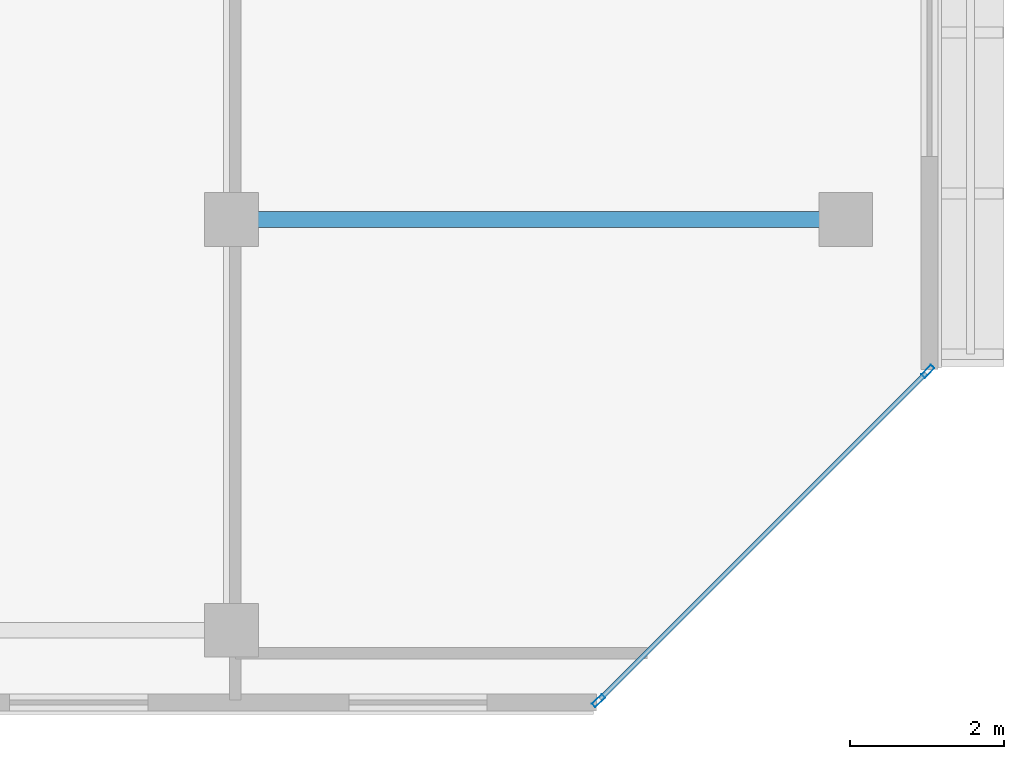
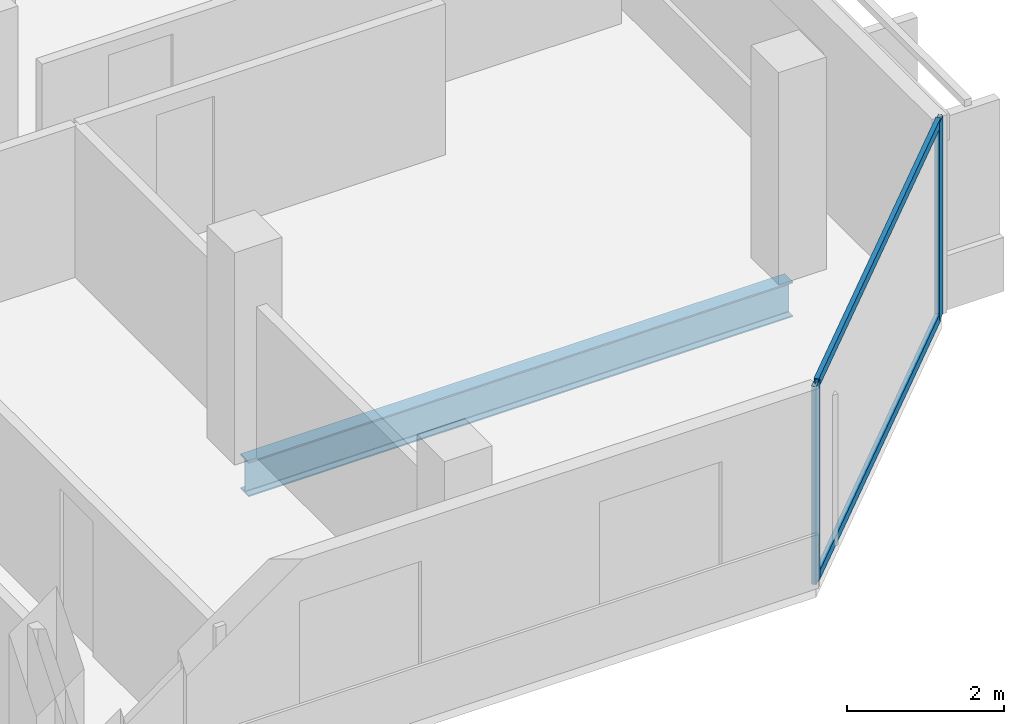
# One storey, part 16 of 29: 4 members, 1 beam, 1 element without a shape of its own.
"""IFC4 building model written with IfcOpenShell, lengths in metres."""

from ifc_helpers import new_model, si_unit, direction, frame, origin, origin_2d, place, context, subcontext, project, spatial, hollow_rectangle, i_section, extrude, material, layer, layer_set, material_profile, profile_set, type_object, element, aggregate, save


model = new_model("IFC4")

# Units and contexts
model_context = context("Model", 3, precision=1e-05, world=origin(), true_north=direction((0.0, 1.0)))
body_context = subcontext(model_context, "Body", "Model", "MODEL_VIEW")
ifc_project = project(units=[si_unit("LENGTHUNIT", "METRE"), si_unit("AREAUNIT", "SQUARE_METRE"), si_unit("VOLUMEUNIT", "CUBIC_METRE"), si_unit("PLANEANGLEUNIT", "RADIAN"), si_unit("MASSUNIT", "GRAM", prefix="KILO")], contexts=[model_context])

# Site, building, storey
site_placement = place(None, origin())
site = spatial("IfcSite", under=ifc_project, at=site_placement, CompositionType="ELEMENT")
building_placement = place(site_placement, origin())
building = spatial("IfcBuilding", under=site, at=building_placement, Name="Tanjung Sevakor Pilgrim Tower", CompositionType="ELEMENT")
storey_placement = place(building_placement, frame((0.0, 0.0, 232.64990234375)))
storey = spatial("IfcBuildingStorey", under=building, at=storey_placement, Name="L65", CompositionType="ELEMENT", Elevation=232.64990234375)

# Beam
ifc_material_1 = material(Name="Steel S355J2", Category="steel")
ifc_material_profile_1 = material_profile(ifc_material_1, i_section(OverallWidth=0.2119140625, OverallDepth=0.54443359375, WebThickness=0.0126953125, FlangeThickness=0.021240234375, FilletRadius=0.0126953125, at=origin_2d()))
ifc_profile_set_1 = profile_set([ifc_material_profile_1], Name="Steel S355J2")
beam_type = type_object("IfcBeamType", Name="BM-B-G5-UB_533x210x122", PredefinedType="BEAM", material=ifc_profile_set_1)
beam_placement = place(storey_placement, frame((90.0, 18.60009765625, -0.4921875), z_axis=(1.0, 0.0, 0.0), x_axis=(0.0, 1.0, 0.0)))
element("IfcBeam", 1, at=beam_placement, inside=storey, type_object=beam_type, Name="L65 East Peak Wing Girder Y18.6", PredefinedType="BEAM", context=body_context, shape_type="SweptSolid", body=[
    extrude(i_section(OverallWidth=0.2119140625, OverallDepth=0.54443359375, WebThickness=0.0126953125, FlangeThickness=0.021240234375, FilletRadius=0.0126953125, at=origin_2d()), origin(), (0.0, 0.0, 1.0), 8.0),
])

# Curtain wall, members
ifc_material_2 = material(Name="Aluminium 6063-T6 and Low-E Glass", Category="aluminium")
ifc_layer = layer(ifc_material_2, 0.179931640625)
ifc_layer_set = layer_set([ifc_layer], Name="CW-SYS-CHAM")
curtain_wall_type = type_object("IfcCurtainWallType", Name="CW-SYS-CHAM", PredefinedType="NOTDEFINED", material=ifc_layer_set)
curtain_wall_placement = place(storey_placement, origin())
curtain_wall = element("IfcCurtainWall", 2, at=curtain_wall_placement, inside=storey, type_object=curtain_wall_type, Name="L65 Curtain Wall CW-CHM-L65-EAST-1", PredefinedType="NOTDEFINED")
ifc_material_3 = material(Name="Aluminium 6063-T6", Category="aluminium")
ifc_material_profile_2 = material_profile(ifc_material_3, hollow_rectangle(XDim=0.06494140625, YDim=0.179931640625, WallThickness=0.00390625, at=origin_2d()))
ifc_profile_set_2 = profile_set([ifc_material_profile_2], Name="Aluminium 6063-T6")
member_type_1 = type_object("IfcMemberType", Name="TYPE-CWM-1", PredefinedType="MULLION", material=ifc_profile_set_2)
member_1_placement = place(storey_placement, frame((94.77734375, 12.3330078125, 0.0), z_axis=(0.0, 0.0, 1.0), x_axis=(-0.707106781187, 0.707106781187, 0.0)))
member_1 = element("IfcMember", 3, at=member_1_placement, type_object=member_type_1, Name="CW-CHM mullion 1", PredefinedType="MULLION", context=body_context, shape_type="SweptSolid", body=[
    extrude(hollow_rectangle(XDim=0.06494140625, YDim=0.179931640625, WallThickness=0.00390625, at=origin_2d()), origin(), (0.0, 0.0, 1.0), 3.080078125),
])
member_2_placement = place(storey_placement, frame((99.067138671875, 16.62255859375, 0.0), z_axis=(0.0, 0.0, 1.0), x_axis=(-0.707106781187, 0.707106781187, 0.0)))
member_2 = element("IfcMember", 4, at=member_2_placement, type_object=member_type_1, Name="CW-CHM mullion 2", PredefinedType="MULLION", context=body_context, shape_type="SweptSolid", body=[
    extrude(hollow_rectangle(XDim=0.06494140625, YDim=0.179931640625, WallThickness=0.00390625, at=origin_2d()), origin(), (0.0, 0.0, 1.0), 3.080078125),
])
ifc_material_4 = material(Name="Aluminium 6063-T6", Category="aluminium")
ifc_material_profile_3 = material_profile(ifc_material_4, hollow_rectangle(XDim=0.06494140625, YDim=0.139892578125, WallThickness=0.00390625, at=origin_2d()))
ifc_profile_set_3 = profile_set([ifc_material_profile_3], Name="Aluminium 6063-T6")
member_type_2 = type_object("IfcMemberType", Name="TYPE-CWT-1", PredefinedType="USERDEFINED", material=ifc_profile_set_3)
member_3_placement = place(storey_placement, frame((94.80029296875, 12.35595703125, 0.03271484375), z_axis=(0.707106781187, 0.707106781187, 0.0), x_axis=(-0.707106781187, 0.707106781187, 0.0)))
member_3 = element("IfcMember", 5, at=member_3_placement, type_object=member_type_2, Name="CW-CHM transom 1.1", ObjectType="TRANSOM", PredefinedType="USERDEFINED", context=body_context, shape_type="SweptSolid", body=[
    extrude(hollow_rectangle(XDim=0.06494140625, YDim=0.139892578125, WallThickness=0.00390625, at=origin_2d()), origin(), (0.0, 0.0, 1.0), 6.00146484375),
])
member_4_placement = place(storey_placement, frame((94.80029296875, 12.35595703125, 3.047607421875), z_axis=(0.707106781187, 0.707106781187, 0.0), x_axis=(-0.707106781187, 0.707106781187, 0.0)))
member_4 = element("IfcMember", 6, at=member_4_placement, type_object=member_type_2, Name="CW-CHM transom 1.2", ObjectType="TRANSOM", PredefinedType="USERDEFINED", context=body_context, shape_type="SweptSolid", body=[
    extrude(hollow_rectangle(XDim=0.06494140625, YDim=0.139892578125, WallThickness=0.00390625, at=origin_2d()), origin(), (0.0, 0.0, 1.0), 6.00146484375),
])
aggregate(curtain_wall, [member_1, member_2, member_3, member_4])

save(model, "model.ifc")
